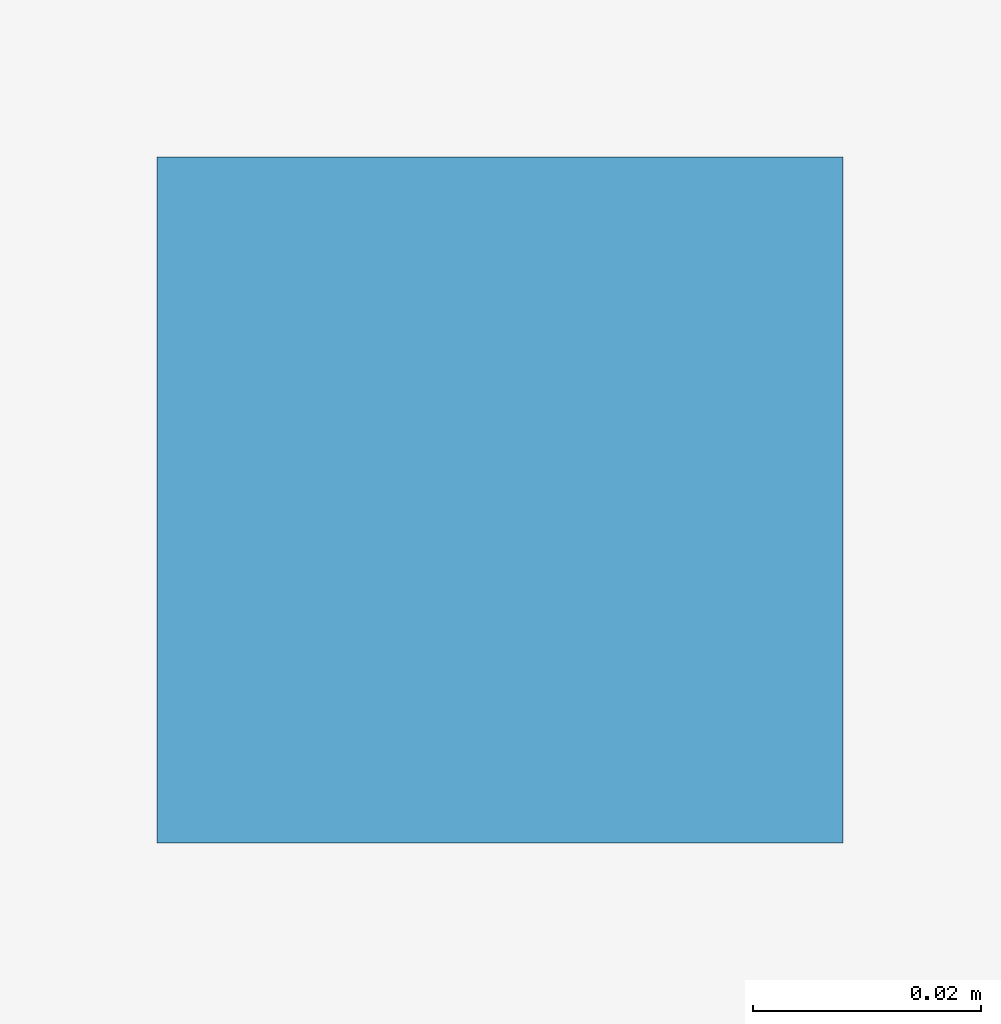
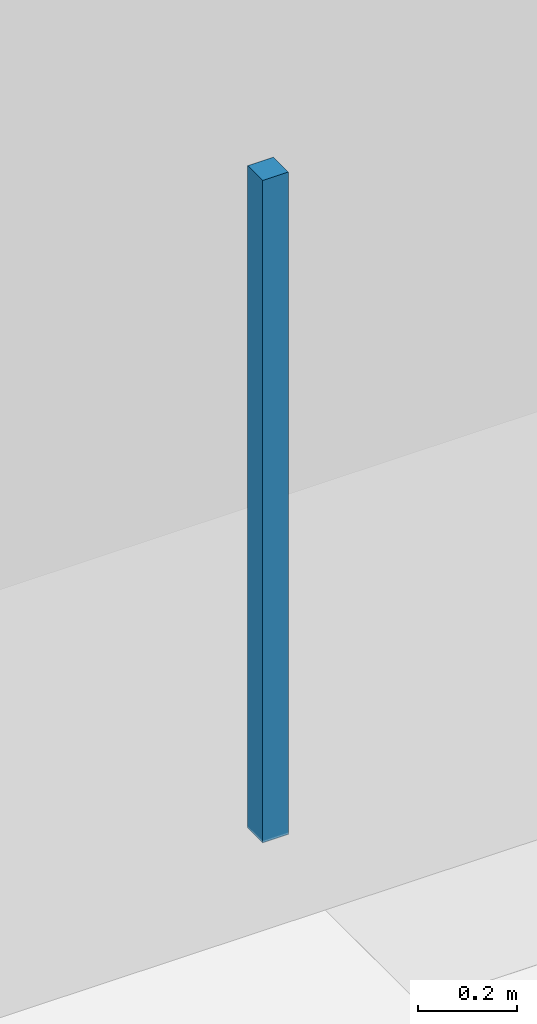
# One storey, part 107 of 119: 1 discrete accessory.
"""IFC4 building model written with IfcOpenShell, lengths in metres."""

import ifcopenshell
import ifcopenshell.guid

model = None  # the IFC model being written
_history = None  # IfcOwnerHistory: only IFC2X3 demands one
_inside = {}  # id of a spatial element -> (the spatial element, [elements in it])
_under = {}  # id of a project, library or spatial element -> (it, [spatial elements below it])
_declared = {}  # id of a project -> (the project, [libraries it declares])
_typed = {}  # id of a type object -> (the type object, [elements of that type])
_made_of = {}  # id of a material, layer set ... -> (it, [elements and type objects made of it])


def new_model(schema):
    """Start an empty IFC model of exactly this schema.

    Asked for "IFC4X3", IfcOpenShell would pick the latest addendum, in which some entities
    have other attributes; the version numbers below select the first issue.
    IFC2X3 requires an IfcOwnerHistory on every rooted entity: one is made here for all.
    """
    global model, _history
    if schema == "IFC4X3":
        model = ifcopenshell.file(schema_version=(4, 3, 0, 0))
    else:
        model = ifcopenshell.file(schema=schema)
    _inside.clear()
    _under.clear()
    _declared.clear()
    _typed.clear()
    _made_of.clear()
    _history = None
    if model.schema == "IFC2X3":
        org = make("IfcOrganization", Name="unknown")
        user = make(
            "IfcPersonAndOrganization",
            ThePerson=make("IfcPerson", FamilyName="unknown"),
            TheOrganization=org,
        )
        app = make(
            "IfcApplication",
            ApplicationDeveloper=org,
            Version="unknown",
            ApplicationFullName="unknown",
            ApplicationIdentifier="unknown",
        )
        _history = make(
            "IfcOwnerHistory",
            OwningUser=user,
            OwningApplication=app,
            ChangeAction="ADDED",
            CreationDate=0,
        )
    return model


def make(cls, **values):
    """One entity of the class cls with the attributes given. An attribute that is None is left unset."""
    return model.create_entity(
        cls, **{name: value for name, value in values.items() if value is not None}
    )


def rooted(cls, **values):
    """An entity with a GlobalId (a new one), such as an element, a storey or a relation."""
    return make(cls, GlobalId=ifcopenshell.guid.new(), OwnerHistory=_history, **values)


def si_unit(unit_type, name, prefix=None):
    """IfcSIUnit, for example si_unit("LENGTHUNIT", "METRE", prefix="MILLI")."""
    return make("IfcSIUnit", UnitType=unit_type, Prefix=prefix, Name=name)


def derived_unit(unit_type, elements):
    """IfcDerivedUnit: a product of units, each with its exponent."""
    return make(
        "IfcDerivedUnit",
        Elements=[
            make("IfcDerivedUnitElement", Unit=unit, Exponent=power)
            for unit, power in elements
        ],
        UnitType=unit_type,
    )


def assignment(units):
    """IfcUnitAssignment: the units of a project."""
    return None if units is None else make("IfcUnitAssignment", Units=units)


def point(xyz):
    """IfcCartesianPoint."""
    return None if xyz is None else make("IfcCartesianPoint", Coordinates=xyz)


def direction(xyz):
    """IfcDirection."""
    return None if xyz is None else make("IfcDirection", DirectionRatios=xyz)


def frame(location, z_axis=None, x_axis=None):
    """IfcAxis2Placement3D, a coordinate frame: its origin and axes. An axis left out is left unset."""
    return make(
        "IfcAxis2Placement3D",
        Location=point(location),
        Axis=direction(z_axis),
        RefDirection=direction(x_axis),
    )


def frame_2d(location, x_axis=None):
    """IfcAxis2Placement2D, a coordinate frame in the plane: its origin and x axis."""
    return make(
        "IfcAxis2Placement2D", Location=point(location), RefDirection=direction(x_axis)
    )


def origin():
    """The frame at (0, 0, 0) with its axes left unset."""
    return frame((0.0, 0.0, 0.0))


def origin_2d():
    """The frame at (0, 0) in the plane with its x axis left unset."""
    return frame_2d((0.0, 0.0))


def place(relative_to, where):
    """IfcLocalPlacement: puts the frame where relative to a parent placement (None: the world)."""
    return make(
        "IfcLocalPlacement", PlacementRelTo=relative_to, RelativePlacement=where
    )


def context(
    kind, dimensions, precision=None, world=None, true_north=None, identifier=None
):
    """IfcGeometricRepresentationContext, for example the 3D "Model" context."""
    return make(
        "IfcGeometricRepresentationContext",
        ContextIdentifier=identifier,
        ContextType=kind,
        CoordinateSpaceDimension=dimensions,
        Precision=precision,
        WorldCoordinateSystem=world,
        TrueNorth=true_north,
    )


def subcontext(parent, identifier, kind, view, scale=None):
    """IfcGeometricRepresentationSubContext, for example "Body" below "Model"."""
    return make(
        "IfcGeometricRepresentationSubContext",
        ContextIdentifier=identifier,
        ContextType=kind,
        ParentContext=parent,
        TargetScale=scale,
        TargetView=view,
    )


def project(units=None, contexts=None):
    """IfcProject with its units and contexts."""
    return rooted(
        "IfcProject",
        Name="project",
        RepresentationContexts=contexts,
        UnitsInContext=assignment(units),
    )


def spatial(cls, under=None, at=None, **own):
    """A site, building, storey or space (cls), placed at a placement, below another one or the project."""
    s = rooted(cls, ObjectPlacement=at, **own)
    if under is not None:
        _under.setdefault(under.id(), (under, []))[1].append(s)
    return s


def profile(cls, at=None, kind="AREA", **sizes):
    """A parametric profile (cls). Its sizes go by their IFC names, for example OverallWidth=200.0."""
    return make(cls, ProfileType=kind, Position=at, **sizes)


def rectangle(**sizes):
    """IfcRectangleProfileDef."""
    return profile("IfcRectangleProfileDef", **sizes)


def extrude(swept, where, along, depth):
    """IfcExtrudedAreaSolid: the profile swept, set in the frame where, extruded along a direction by depth."""
    return make(
        "IfcExtrudedAreaSolid",
        SweptArea=swept,
        Position=where,
        ExtrudedDirection=direction(along),
        Depth=depth,
    )


def shape(context_of_items, identifier, shape_type, items):
    """IfcShapeRepresentation: the items that make up one representation, for example the "Body"."""
    return make(
        "IfcShapeRepresentation",
        ContextOfItems=context_of_items,
        RepresentationIdentifier=identifier,
        RepresentationType=shape_type,
        Items=items,
    )


def material(Name=None, Category=None):
    """IfcMaterial."""
    return make("IfcMaterial", Name=Name, Category=Category)


def layer(
    of_material, thickness, ventilated=None, Name=None, Category=None, Priority=None
):
    """IfcMaterialLayer: one layer of a wall or slab, of a material (None: an air gap)."""
    return make(
        "IfcMaterialLayer",
        Material=of_material,
        LayerThickness=thickness,
        IsVentilated=ventilated,
        Name=Name,
        Category=Category,
        Priority=Priority,
    )


def layer_set(layers, Name=None):
    """IfcMaterialLayerSet."""
    return make("IfcMaterialLayerSet", MaterialLayers=layers, LayerSetName=Name)


def made_of(thing, what):
    """Note that an element or type object is made of a material, layer set ...; save() writes the relation."""
    if what is not None:
        _made_of.setdefault(what.id(), (what, []))[1].append(thing)
    return thing


def type_object(cls, material=None, **own):
    """A type object (cls), such as IfcWallType, which elements share."""
    return made_of(rooted(cls, **own), material)


def element(
    cls,
    number,
    at=None,
    inside=None,
    cuts=None,
    type_object=None,
    material=None,
    context=None,
    identifier="Body",
    shape_type=None,
    held_by="IfcProductDefinitionShape",
    body=None,
    shapes=None,
    **own,
):
    """One element of the class cls, such as IfcWall. Its Tag is "e" and its number.

    at: its placement. inside: the storey or other place that contains it. cuts: it is an
    opening in that element (IfcRelVoidsElement). A single representation is given by context,
    identifier, shape_type and body (its items); several are given by shapes. held_by: the class
    of the entity that holds the representations. save() writes the other relations.
    """
    e = rooted(cls, Tag="e%d" % number, ObjectPlacement=at, **own)
    if body is not None:
        shapes = [shape(context, identifier, shape_type, body)]
    if shapes is not None:
        e.Representation = make(held_by, Representations=shapes)
    if inside is not None:
        _inside.setdefault(inside.id(), (inside, []))[1].append(e)
    if cuts is not None:
        rooted(
            "IfcRelVoidsElement", RelatingBuildingElement=cuts, RelatedOpeningElement=e
        )
    if type_object is not None:
        _typed.setdefault(type_object.id(), (type_object, []))[1].append(e)
    return made_of(e, material)


def aggregate(whole, parts):
    """IfcRelAggregates: a whole, such as a stair, and the parts it consists of."""
    return rooted("IfcRelAggregates", RelatingObject=whole, RelatedObjects=parts)


def save(model, path):
    """Write the relations noted so far, then the file.

    IfcRelAggregates (storeys below a building ...), IfcRelContainedInSpatialStructure (elements
    in a storey), IfcRelDefinesByType, IfcRelAssociatesMaterial and IfcRelDeclares: one each for
    every whole, place, type object, material and project.
    """
    for whole, parts in _under.values():
        aggregate(whole, parts)
    for where, things in _inside.values():
        rooted(
            "IfcRelContainedInSpatialStructure",
            RelatedElements=things,
            RelatingStructure=where,
        )
    for kind, things in _typed.values():
        rooted("IfcRelDefinesByType", RelatedObjects=things, RelatingType=kind)
    for what, things in _made_of.values():
        rooted("IfcRelAssociatesMaterial", RelatedObjects=things, RelatingMaterial=what)
    for by, libraries in _declared.values():
        rooted("IfcRelDeclares", RelatingContext=by, RelatedDefinitions=libraries)
    model.write(path)


model = new_model("IFC4")

# Units and contexts
model_context = context("Model", 3, precision=1e-05, world=origin(), true_north=direction((0.0, 1.0)))
body_context = subcontext(model_context, "Body", "Model", "MODEL_VIEW")
ifc_project = project(units=[si_unit("LENGTHUNIT", "METRE"), si_unit("AREAUNIT", "SQUARE_METRE"), si_unit("VOLUMEUNIT", "CUBIC_METRE"), si_unit("PLANEANGLEUNIT", "RADIAN"), si_unit("MASSUNIT", "GRAM", prefix="KILO"), derived_unit("THERMALTRANSMITTANCEUNIT", [(si_unit("MASSUNIT", "GRAM", prefix="KILO"), 1), (si_unit("TIMEUNIT", "SECOND"), -3), (si_unit("THERMODYNAMICTEMPERATUREUNIT", "KELVIN"), -1)])], contexts=[model_context])

# Site, building, storey
site_placement = place(None, origin())
site = spatial("IfcSite", under=ifc_project, at=site_placement, CompositionType="ELEMENT")
building_placement = place(site_placement, origin())
building = spatial("IfcBuilding", under=site, at=building_placement, Name="Makaiwela Harbour Ferry Terminal", CompositionType="ELEMENT")
storey_placement = place(building_placement, origin())
storey = spatial("IfcBuildingStorey", under=building, at=storey_placement, Name="L00", CompositionType="ELEMENT", Elevation=0.0)

# Discrete accessory
ifc_material = material(Name="Marine grade 316L brushed stainless steel", Category="steel")
ifc_layer = layer(ifc_material, 1.0)
ifc_layer_set = layer_set([ifc_layer], Name="Marine grade 316L brushed stainless steel")
discrete_accessory_type = type_object("IfcDiscreteAccessoryType", Name="INT-ACC-HNG", PredefinedType="BRACKET", material=ifc_layer_set)
discrete_accessory_placement = place(storey_placement, frame((175.699951171875, 45.300048828125, 3.135009765625), z_axis=(0.0, 0.0, 1.0), x_axis=(1.0, 0.0, 0.0)))
element("IfcDiscreteAccessory", 1, at=discrete_accessory_placement, inside=storey, type_object=discrete_accessory_type, Name="Ceiling Suspension Bracket HNG-024", PredefinedType="BRACKET", context=body_context, shape_type="SweptSolid", body=[
    extrude(rectangle(XDim=0.06005859375, YDim=0.06005859375, at=origin_2d()), origin(), (0.0, 0.0, 1.0), 1.6298828125),
])

save(model, "model.ifc")
